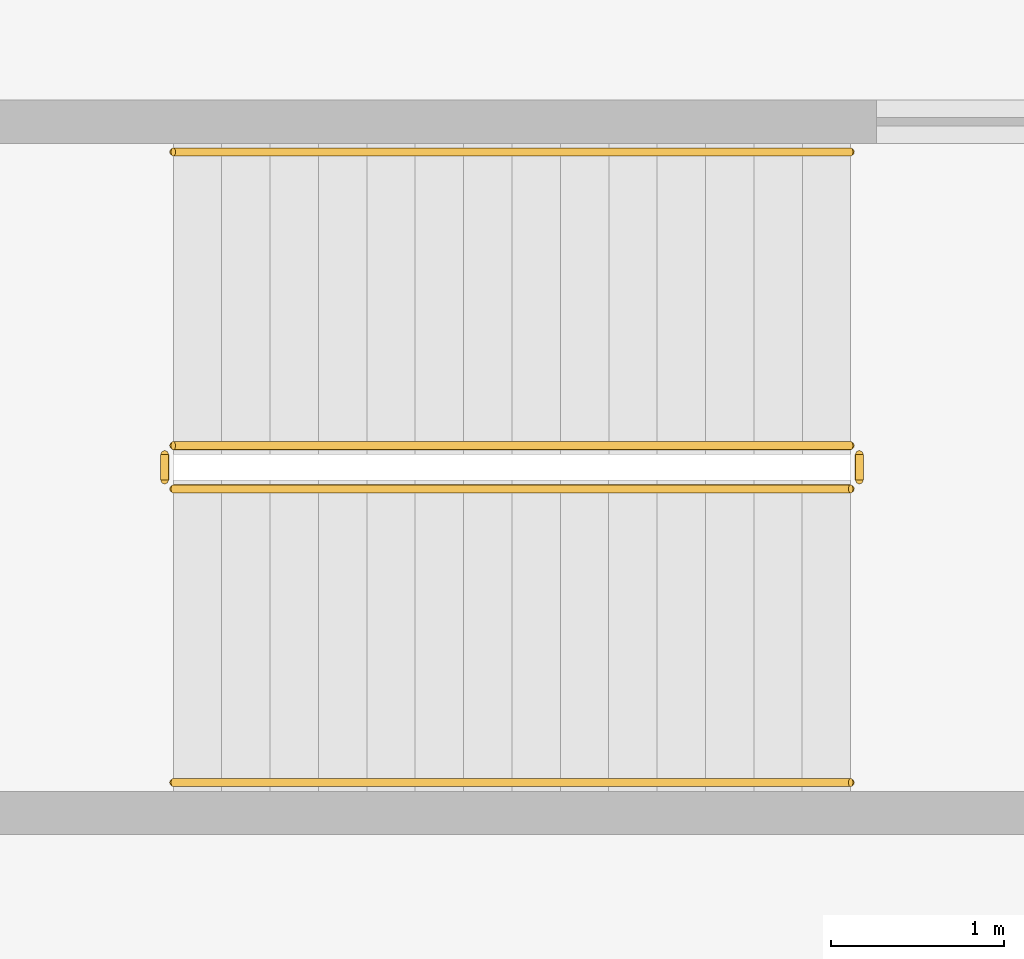
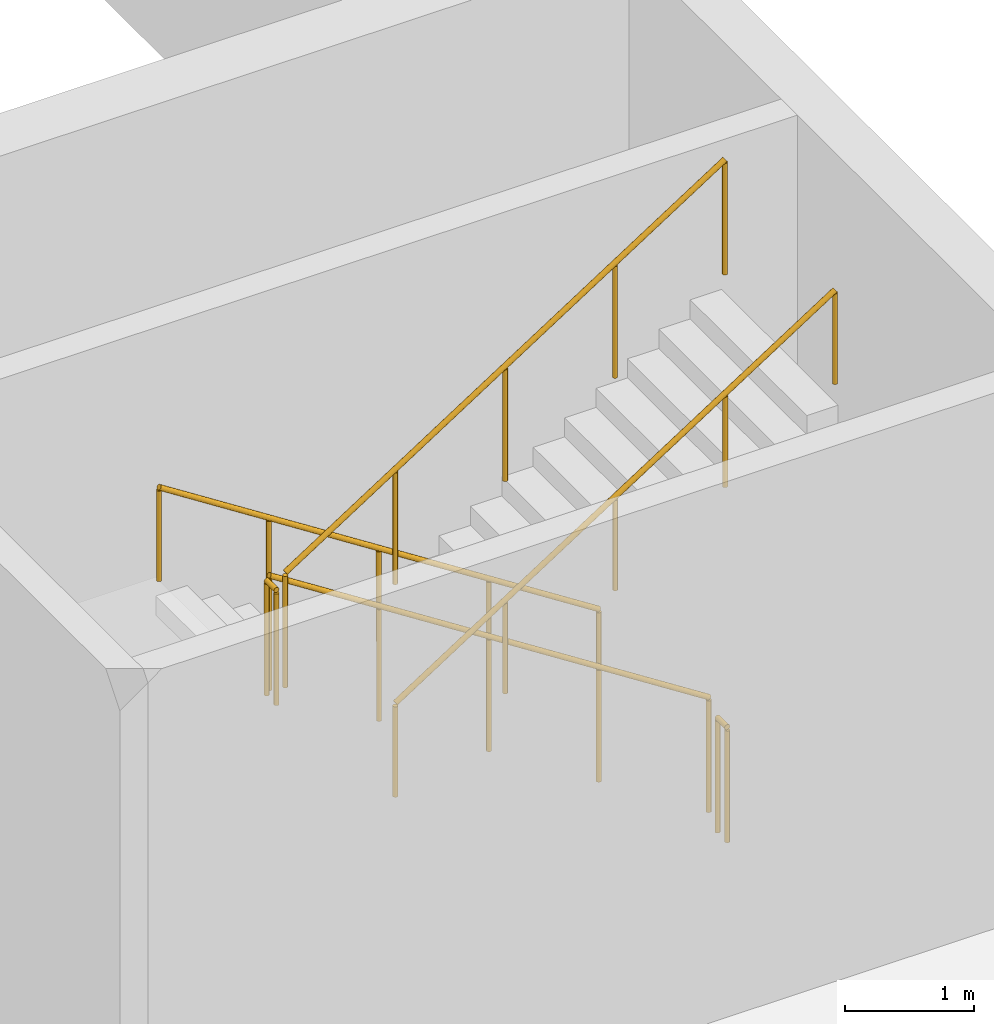
# One storey, part 41 of 44: 6 railings.
"""IFC4 building model written with IfcOpenShell, lengths in metres."""

from ifc_helpers import new_model, si_unit, direction, frame, origin, origin_2d, place, context, subcontext, project, spatial, circle, extrude, material, type_object, element, save


model = new_model("IFC4")

# Units and contexts
model_context = context("Model", 3, precision=1e-05, world=origin(), true_north=direction((0.0, 1.0)))
body_context = subcontext(model_context, "Body", "Model", "MODEL_VIEW")
ifc_project = project(units=[si_unit("LENGTHUNIT", "METRE"), si_unit("AREAUNIT", "SQUARE_METRE"), si_unit("VOLUMEUNIT", "CUBIC_METRE"), si_unit("PLANEANGLEUNIT", "RADIAN"), si_unit("MASSUNIT", "GRAM", prefix="KILO")], contexts=[model_context])

# Site, building, storey
site_placement = place(None, origin())
site = spatial("IfcSite", under=ifc_project, at=site_placement, CompositionType="ELEMENT")
building_placement = place(site_placement, origin())
building = spatial("IfcBuilding", under=site, at=building_placement, Name="Hunhe Ridgeline Campus", CompositionType="ELEMENT")
storey_placement = place(building_placement, frame((0.0, 0.0, 6.0)))
storey = spatial("IfcBuildingStorey", under=building, at=storey_placement, Name="L01", CompositionType="ELEMENT", Elevation=6.0)

# Railings
ifc_material = material(Name="Steel Q235", Category="steel")
railing_type_1 = type_object("IfcRailingType", Name="Hall stair guard 1100", PredefinedType="GUARDRAIL", material=ifc_material)
railing_1_placement = place(storey_placement, frame((207.800048828125, 31.89990234375, 0.179931640625)))
element("IfcRailing", 1, at=railing_1_placement, inside=storey, type_object=railing_type_1, Name="L01 HS3 stair guard 1", PredefinedType="GUARDRAIL", context=body_context, shape_type="SweptSolid", body=[
    extrude(circle(Radius=0.02392578125, at=origin_2d()), frame((0.0, 0.0, 1.076171875), z_axis=(-0.841186985886, 0.0, 0.540744352514), x_axis=(0.0, -1.0, 0.0)), (0.0, 0.0, 1.0), 4.660400390625),
    extrude(circle(Radius=0.02099609375, at=origin_2d()), origin(), (0.0, 0.0, 1.0), 1.052001953125),
    extrude(circle(Radius=0.02099609375, at=origin_2d()), frame((-0.97998046875, 0.0, 0.6298828125)), (0.0, 0.0, 1.0), 1.052001953125),
    extrude(circle(Radius=0.02099609375, at=origin_2d()), frame((-1.9599609375, 0.0, 1.260009765625)), (0.0, 0.0, 1.0), 1.052001953125),
    extrude(circle(Radius=0.02099609375, at=origin_2d()), frame((-2.940185546875, 0.0, 1.89013671875)), (0.0, 0.0, 1.0), 1.052001953125),
    extrude(circle(Radius=0.02099609375, at=origin_2d()), frame((-3.920166015625, 0.0, 2.52001953125)), (0.0, 0.0, 1.0), 1.052001953125),
])
railing_2_placement = place(storey_placement, frame((203.830078125, 31.85009765625, 2.699951171875)))
element("IfcRailing", 2, at=railing_2_placement, inside=storey, type_object=railing_type_1, Name="L01 HS3 stair guard 2", PredefinedType="GUARDRAIL", context=body_context, shape_type="SweptSolid", body=[
    extrude(circle(Radius=0.02392578125, at=origin_2d()), frame((0.0, 0.0, 1.076171875), z_axis=(0.0, -1.0, 0.0), x_axis=(1.0, 0.0, 0.0)), (0.0, 0.0, 1.0), 0.150146484375),
    extrude(circle(Radius=0.02099609375, at=origin_2d()), origin(), (0.0, 0.0, 1.0), 1.052001953125),
    extrude(circle(Radius=0.02099609375, at=origin_2d()), frame((0.0, -0.150146484375, 0.0)), (0.0, 0.0, 1.0), 1.052001953125),
])
railing_3_placement = place(storey_placement, frame((203.8798828125, 31.64990234375, 2.8798828125)))
element("IfcRailing", 3, at=railing_3_placement, inside=storey, type_object=railing_type_1, Name="L01 HS3 stair guard 3", PredefinedType="GUARDRAIL", context=body_context, shape_type="SweptSolid", body=[
    extrude(circle(Radius=0.02392578125, at=origin_2d()), frame((0.0, 0.0, 1.076171875), z_axis=(0.841186985886, 0.0, 0.540744352514), x_axis=(0.0, 1.0, 0.0)), (0.0, 0.0, 1.0), 4.660400390625),
    extrude(circle(Radius=0.02099609375, at=origin_2d()), origin(), (0.0, 0.0, 1.0), 1.052001953125),
    extrude(circle(Radius=0.02099609375, at=origin_2d()), frame((0.97998046875, 0.0, 0.6298828125)), (0.0, 0.0, 1.0), 1.052001953125),
    extrude(circle(Radius=0.02099609375, at=origin_2d()), frame((1.9599609375, 0.0, 1.260009765625)), (0.0, 0.0, 1.0), 1.052001953125),
    extrude(circle(Radius=0.02099609375, at=origin_2d()), frame((2.940185546875, 0.0, 1.89013671875)), (0.0, 0.0, 1.0), 1.052001953125),
    extrude(circle(Radius=0.02099609375, at=origin_2d()), frame((3.920166015625, 0.0, 2.52001953125)), (0.0, 0.0, 1.0), 1.052001953125),
])
railing_4_placement = place(storey_placement, frame((207.85009765625, 31.85009765625, 0.0)))
element("IfcRailing", 4, at=railing_4_placement, inside=storey, type_object=railing_type_1, Name="L01 HS3 stair guard 4", PredefinedType="GUARDRAIL", context=body_context, shape_type="SweptSolid", body=[
    extrude(circle(Radius=0.02392578125, at=origin_2d()), frame((0.0, 0.0, 1.076171875), z_axis=(0.0, -1.0, 0.0), x_axis=(1.0, 0.0, 0.0)), (0.0, 0.0, 1.0), 0.150146484375),
    extrude(circle(Radius=0.02099609375, at=origin_2d()), origin(), (0.0, 0.0, 1.0), 1.052001953125),
    extrude(circle(Radius=0.02099609375, at=origin_2d()), frame((0.0, -0.150146484375, 0.0)), (0.0, 0.0, 1.0), 1.052001953125),
])
railing_type_2 = type_object("IfcRailingType", Name="Hall stair handrail", PredefinedType="HANDRAIL", material=ifc_material)
railing_5_placement = place(storey_placement, frame((207.800048828125, 33.60009765625, 0.179931640625)))
element("IfcRailing", 5, at=railing_5_placement, inside=storey, type_object=railing_type_2, Name="L01 HS3 stair handrail 1", PredefinedType="HANDRAIL", context=body_context, shape_type="SweptSolid", body=[
    extrude(circle(Radius=0.02392578125, at=origin_2d()), frame((0.0, 0.0, 0.8759765625), z_axis=(-0.841186985886, 0.0, 0.540744352514), x_axis=(0.0, -1.0, 0.0)), (0.0, 0.0, 1.0), 4.660400390625),
    extrude(circle(Radius=0.02099609375, at=origin_2d()), origin(), (0.0, 0.0, 1.0), 0.851806640625),
    extrude(circle(Radius=0.02099609375, at=origin_2d()), frame((-0.97998046875, 0.0, 0.6298828125)), (0.0, 0.0, 1.0), 0.851806640625),
    extrude(circle(Radius=0.02099609375, at=origin_2d()), frame((-1.9599609375, 0.0, 1.260009765625)), (0.0, 0.0, 1.0), 0.851806640625),
    extrude(circle(Radius=0.02099609375, at=origin_2d()), frame((-2.940185546875, 0.0, 1.89013671875)), (0.0, 0.0, 1.0), 0.851806640625),
    extrude(circle(Radius=0.02099609375, at=origin_2d()), frame((-3.920166015625, 0.0, 2.52001953125)), (0.0, 0.0, 1.0), 0.851806640625),
])
railing_6_placement = place(storey_placement, frame((203.8798828125, 29.949951171875, 2.8798828125)))
element("IfcRailing", 6, at=railing_6_placement, inside=storey, type_object=railing_type_2, Name="L01 HS3 stair handrail 2", PredefinedType="HANDRAIL", context=body_context, shape_type="SweptSolid", body=[
    extrude(circle(Radius=0.02392578125, at=origin_2d()), frame((0.0, 0.0, 0.8759765625), z_axis=(0.841186985886, 0.0, 0.540744352514), x_axis=(0.0, 1.0, 0.0)), (0.0, 0.0, 1.0), 4.660400390625),
    extrude(circle(Radius=0.02099609375, at=origin_2d()), origin(), (0.0, 0.0, 1.0), 0.851806640625),
    extrude(circle(Radius=0.02099609375, at=origin_2d()), frame((0.97998046875, 0.0, 0.6298828125)), (0.0, 0.0, 1.0), 0.851806640625),
    extrude(circle(Radius=0.02099609375, at=origin_2d()), frame((1.9599609375, 0.0, 1.260009765625)), (0.0, 0.0, 1.0), 0.851806640625),
    extrude(circle(Radius=0.02099609375, at=origin_2d()), frame((2.940185546875, 0.0, 1.89013671875)), (0.0, 0.0, 1.0), 0.851806640625),
    extrude(circle(Radius=0.02099609375, at=origin_2d()), frame((3.920166015625, 0.0, 2.52001953125)), (0.0, 0.0, 1.0), 0.851806640625),
])

save(model, "model.ifc")
